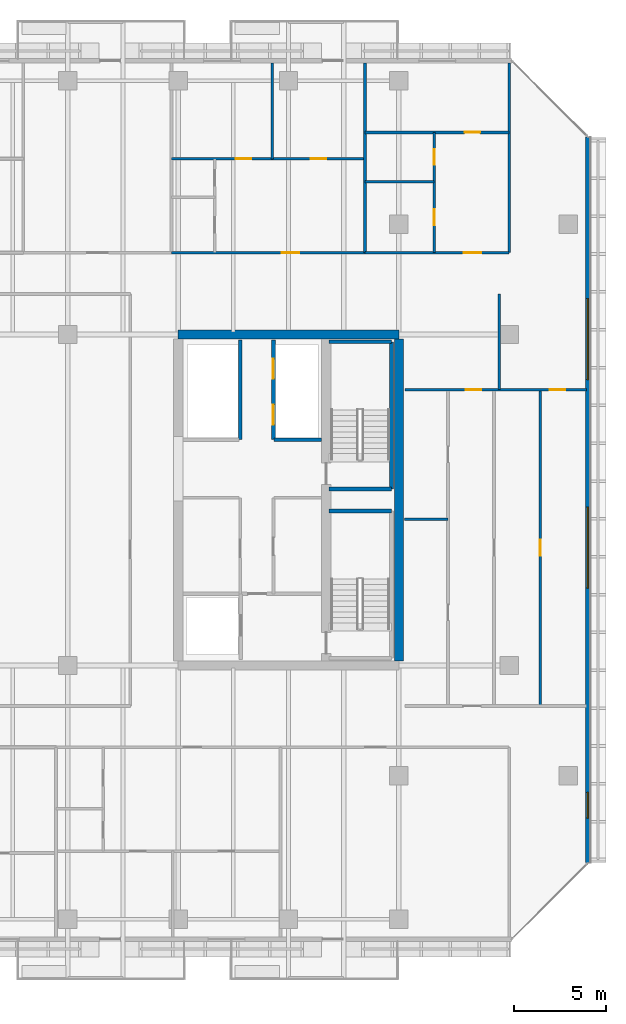
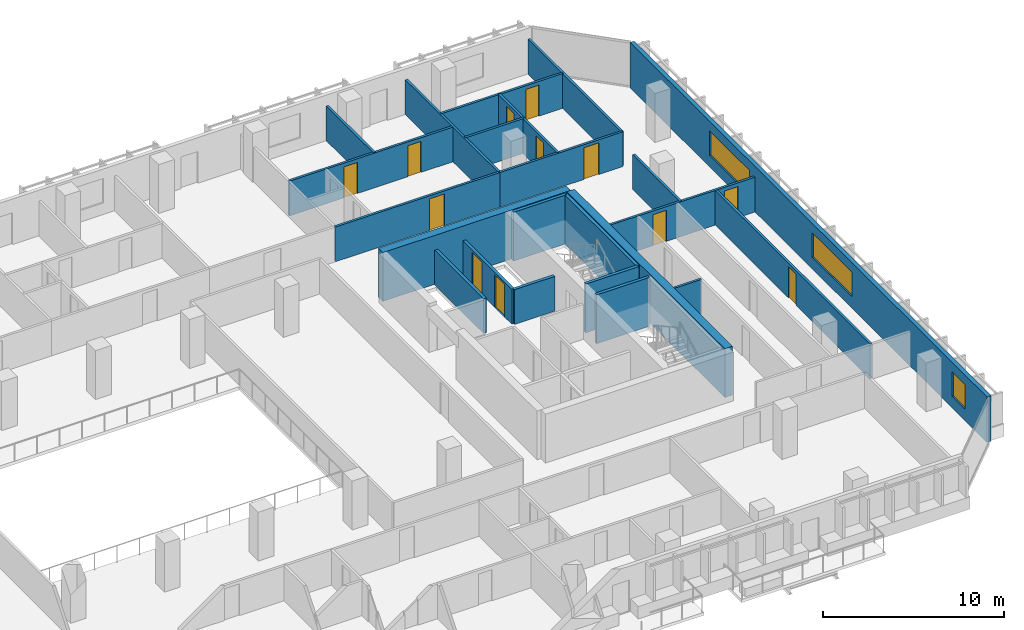
# One storey, part 28 of 35: 23 walls, 12 doors, 3 windows, 15 openings.
"""IFC4 building model written with IfcOpenShell, lengths in metres."""

from ifc_helpers import new_model, si_unit, direction, frame, frame_2d, origin, place, context, subcontext, project, spatial, rectangle, extrude, material, layer, layer_set, type_object, element, fill, save


model = new_model("IFC4")

# Units and contexts
model_context = context("Model", 3, precision=1e-05, world=origin(), true_north=direction((0.0, 1.0)))
body_context = subcontext(model_context, "Body", "Model", "MODEL_VIEW")
ifc_project = project(units=[si_unit("LENGTHUNIT", "METRE"), si_unit("AREAUNIT", "SQUARE_METRE"), si_unit("VOLUMEUNIT", "CUBIC_METRE"), si_unit("PLANEANGLEUNIT", "RADIAN"), si_unit("MASSUNIT", "GRAM", prefix="KILO")], contexts=[model_context])

# Site, building, storey
site_placement = place(None, origin())
site = spatial("IfcSite", under=ifc_project, at=site_placement, CompositionType="ELEMENT")
building_placement = place(site_placement, origin())
building = spatial("IfcBuilding", under=site, at=building_placement, Name="Tanjung Sevakor Pilgrim Tower", CompositionType="ELEMENT")
storey_placement = place(building_placement, frame((0.0, 0.0, 92.070068359375)))
storey = spatial("IfcBuildingStorey", under=building, at=storey_placement, Name="L25", CompositionType="ELEMENT", Elevation=92.070068359375)

# Walls
ifc_material_1 = material(Name="Concrete C60/75", Category="concrete")
ifc_layer_1 = layer(ifc_material_1, 0.5)
ifc_layer_set_1 = layer_set([ifc_layer_1], Name="WALL-CW-500")
wall_type_1 = type_object("IfcWallType", Name="WALL-CW-500", PredefinedType="SHEAR", material=ifc_layer_set_1)
wall_1_placement = place(storey_placement, frame((90.0, 42.60009765625, 0.0), z_axis=(0.0, 0.0, 1.0), x_axis=(-1.0, 0.0, 0.0)))
element("IfcWall", 1, at=wall_1_placement, inside=storey, type_object=wall_type_1, Name="L25 E Core North Shear Wall", PredefinedType="SHEAR", context=body_context, shape_type="SweptSolid", body=[
    extrude(rectangle(XDim=12.0, YDim=0.5, at=frame_2d((6.0, 0.0))), origin(), (0.0, 0.0, 1.0), 3.300048828125),
])
wall_2_placement = place(storey_placement, frame((90.0, 24.85009765625, 0.0), z_axis=(0.0, 0.0, 1.0), x_axis=(0.0, 1.0, 0.0)))
element("IfcWall", 2, at=wall_2_placement, inside=storey, type_object=wall_type_1, Name="L25 E Core Outer Shear Wall", PredefinedType="SHEAR", context=body_context, shape_type="SweptSolid", body=[
    extrude(rectangle(XDim=17.5, YDim=0.5, at=frame_2d((8.75, 0.0))), origin(), (0.0, 0.0, 1.0), 3.300048828125),
])
ifc_material_2 = material(Name="Concrete C40/50", Category="concrete")
ifc_layer_2 = layer(ifc_material_2, 0.14990234375)
ifc_layer_set_2 = layer_set([ifc_layer_2], Name="WT-COMP-150")
wall_type_2 = type_object("IfcWallType", Name="WT-COMP-150", PredefinedType="SOLIDWALL", material=ifc_layer_set_2)
for number, where, z_axis, x_axis, name in (
    (3, (96.0, 47.050048828125, 0.0), (0.0, 0.0, 1.0), (0.0, 1.0, 0.0), "L25 Partition IW-L25-083"),
    (4, (88.164306640625, 47.050048828125, 0.0), (0.0, 0.0, 1.0), (0.0, 1.0, 0.0), "L25 Partition IW-L25-094"),
):
    element("IfcWall", number, at=place(storey_placement, frame(where, z_axis=z_axis, x_axis=x_axis)), inside=storey, type_object=wall_type_2, Name=name, PredefinedType="SOLIDWALL", context=body_context, shape_type="SweptSolid", body=[
        extrude(rectangle(XDim=10.300048828125, YDim=0.14990234375, at=frame_2d((5.14990234375, 0.0))), origin(), (0.0, 0.0, 1.0), 2.35009765625),
    ])

# Wall, opening, door
wall_3_placement = place(storey_placement, frame((77.64208984375, 47.050048828125, 0.0), z_axis=(0.0, 0.0, 1.0), x_axis=(1.0, 0.0, 0.0)))
wall_3 = element("IfcWall", 5, at=wall_3_placement, inside=storey, type_object=wall_type_2, Name="L25 Partition IW-L25-099", PredefinedType="SOLIDWALL", context=body_context, shape_type="SweptSolid", body=[
    extrude(rectangle(XDim=10.522216796875, YDim=0.14990234375, at=frame_2d((5.26123046875, 0.0))), origin(), (0.0, 0.0, 1.0), 2.35009765625),
])
opening_1_placement = place(wall_3_placement, frame((6.001220703125, 0.0, 0.0)))
opening_1 = element("IfcOpeningElement", 6, at=opening_1_placement, cuts=wall_3, Name="Opening ID-FD2", PredefinedType="OPENING", context=body_context, shape_type="SweptSolid", body=[
    extrude(rectangle(XDim=0.949951171875, YDim=2.14990234375, at=frame_2d((0.47509765625, 1.074951171875))), frame((0.0, 0.0849609375, 0.0), z_axis=(0.0, -1.0, 0.0), x_axis=(1.0, 0.0, 0.0)), (0.0, 0.0, 1.0), 0.169921875),
])
ifc_material_3 = material(Name="Fire-Rated Timber", Category="wood")
door_type_1 = type_object("IfcDoorType", Name="DT-FIRE-950", OperationType="NOTDEFINED", PredefinedType="DOOR", material=ifc_material_3)
door_1_placement = place(opening_1_placement, origin())
door_1 = element("IfcDoor", 7, at=door_1_placement, inside=storey, type_object=door_type_1, Name="Suite Entrance", OperationType="SINGLE_SWING_LEFT", OverallHeight=2.14990234375, OverallWidth=0.949951171875, PredefinedType="DOOR", context=body_context, shape_type="SweptSolid", body=[
    extrude(rectangle(XDim=0.949951171875, YDim=2.14990234375, at=frame_2d((0.47509765625, 1.074951171875))), frame((0.0, 0.02490234375, 0.0), z_axis=(0.0, -1.0, 0.0), x_axis=(1.0, 0.0, 0.0)), (0.0, 0.0, 1.0), 0.050048828125),
])
fill(opening_1, door_1)

wall_4_placement = place(storey_placement, frame((88.164306640625, 47.050048828125, 0.0), z_axis=(0.0, 0.0, 1.0), x_axis=(1.0, 0.0, 0.0)))
wall_4 = element("IfcWall", 8, at=wall_4_placement, inside=storey, type_object=wall_type_2, Name="L25 Partition IW-L25-103", PredefinedType="SOLIDWALL", context=body_context, shape_type="SweptSolid", body=[
    extrude(rectangle(XDim=7.835693359375, YDim=0.14990234375, at=frame_2d((3.91796875, 0.0))), origin(), (0.0, 0.0, 1.0), 2.35009765625),
])
opening_2_placement = place(wall_4_placement, frame((5.360595703125, 0.0, 0.0)))
opening_2 = element("IfcOpeningElement", 9, at=opening_2_placement, cuts=wall_4, Name="Opening ID-FD2", PredefinedType="OPENING", context=body_context, shape_type="SweptSolid", body=[
    extrude(rectangle(XDim=0.949951171875, YDim=2.14990234375, at=frame_2d((0.47509765625, 1.074951171875))), frame((0.0, 0.0849609375, 0.0), z_axis=(0.0, -1.0, 0.0), x_axis=(1.0, 0.0, 0.0)), (0.0, 0.0, 1.0), 0.169921875),
])
door_2_placement = place(opening_2_placement, origin())
door_2 = element("IfcDoor", 10, at=door_2_placement, inside=storey, type_object=door_type_1, Name="Residence Entrance", OperationType="SINGLE_SWING_LEFT", OverallHeight=2.14990234375, OverallWidth=0.949951171875, PredefinedType="DOOR", context=body_context, shape_type="SweptSolid", body=[
    extrude(rectangle(XDim=0.949951171875, YDim=2.14990234375, at=frame_2d((0.47509765625, 1.074951171875))), frame((0.0, 0.02490234375, 0.0), z_axis=(0.0, -1.0, 0.0), x_axis=(1.0, 0.0, 0.0)), (0.0, 0.0, 1.0), 0.050048828125),
])
fill(opening_2, door_2)

# Wall, openings, windows
ifc_material_4 = material(Name="Precast concrete C45/55", Category="concrete")
ifc_layer_3 = layer(ifc_material_4, 0.25)
ifc_layer_set_3 = layer_set([ifc_layer_3], Name="WT-EW-STN3")
wall_type_3 = type_object("IfcWallType", Name="WT-EW-STN3", PredefinedType="SOLIDWALL", material=ifc_layer_set_3)
wall_5_placement = place(storey_placement, frame((100.27490234375, 13.851806640625, 0.0), z_axis=(0.0, 0.0, 1.0), x_axis=(0.0, 1.0, 0.0)))
wall_5 = element("IfcWall", 11, at=wall_5_placement, inside=storey, type_object=wall_type_3, Name="L25 MAIN Exterior Wall 7", PredefinedType="SOLIDWALL", context=body_context, shape_type="SweptSolid", body=[
    extrude(rectangle(XDim=39.496337890625, YDim=0.25, at=frame_2d((19.748046875, 0.0))), origin(), (0.0, 0.0, 1.0), 3.080078125),
])
opening_3_placement = place(wall_5_placement, frame((14.958251953125, 0.0, 0.780029296875)))
opening_3 = element("IfcOpeningElement", 12, at=opening_3_placement, cuts=wall_5, Name="Opening WN-ENDW-1660", PredefinedType="OPENING", context=body_context, shape_type="SweptSolid", body=[
    extrude(rectangle(XDim=4.39990234375, YDim=1.659912109375, at=frame_2d((2.199951171875, 0.830078125))), frame((0.0, 0.135009765625, 0.0), z_axis=(0.0, -1.0, 0.0), x_axis=(1.0, 0.0, 0.0)), (0.0, 0.0, 1.0), 0.27001953125),
])
opening_4_placement = place(wall_5_placement, frame((26.298095703125, 0.0, 0.780029296875)))
opening_4 = element("IfcOpeningElement", 13, at=opening_4_placement, cuts=wall_5, Name="Opening WN-ENDW-1660", PredefinedType="OPENING", context=body_context, shape_type="SweptSolid", body=[
    extrude(rectangle(XDim=4.39990234375, YDim=1.659912109375, at=frame_2d((2.199951171875, 0.830078125))), frame((0.0, 0.135009765625, 0.0), z_axis=(0.0, -1.0, 0.0), x_axis=(1.0, 0.0, 0.0)), (0.0, 0.0, 1.0), 0.27001953125),
])
opening_5_placement = place(wall_5_placement, frame((2.4541015625, 0.0, 0.780029296875)))
opening_5 = element("IfcOpeningElement", 14, at=opening_5_placement, cuts=wall_5, Name="Opening WN-END", PredefinedType="OPENING", context=body_context, shape_type="SweptSolid", body=[
    extrude(rectangle(XDim=1.39990234375, YDim=1.64990234375, at=frame_2d((0.699951171875, 0.824951171875))), frame((0.0, 0.135009765625, 0.0), z_axis=(0.0, -1.0, 0.0), x_axis=(1.0, 0.0, 0.0)), (0.0, 0.0, 1.0), 0.27001953125),
])
ifc_material_5 = material(Name="Thermally Broken Aluminium and Low-E Glass", Category="aluminium")
window_type_1 = type_object("IfcWindowType", Name="WTYP-WN-END", PartitioningType="SINGLE_PANEL", PredefinedType="WINDOW", material=ifc_material_5)
window_1_placement = place(opening_5_placement, origin())
window_1 = element("IfcWindow", 15, at=window_1_placement, inside=storey, type_object=window_type_1, Name="L25 Facade Window 03", OverallHeight=1.64990234375, OverallWidth=1.39990234375, PartitioningType="SINGLE_PANEL", PredefinedType="WINDOW", context=body_context, shape_type="SweptSolid", body=[
    extrude(rectangle(XDim=1.39990234375, YDim=1.64990234375, at=frame_2d((0.699951171875, 0.824951171875))), frame((0.0, 0.030029296875, 0.0), z_axis=(0.0, -1.0, 0.0), x_axis=(1.0, 0.0, 0.0)), (0.0, 0.0, 1.0), 0.06005859375),
])
fill(opening_5, window_1)
ifc_material_6 = material(Name="Thermally Broken Aluminium and Low-E Glass", Category="aluminium")
window_type_2 = type_object("IfcWindowType", Name="WTYP-WN-ENDW-1660", PartitioningType="DOUBLE_PANEL_VERTICAL", PredefinedType="WINDOW", material=ifc_material_6)
window_2_placement = place(opening_3_placement, origin())
window_2 = element("IfcWindow", 16, at=window_2_placement, inside=storey, type_object=window_type_2, Name="L25 Facade Window 01", OverallHeight=1.659912109375, OverallWidth=4.39990234375, PartitioningType="SINGLE_PANEL", PredefinedType="WINDOW", context=body_context, shape_type="SweptSolid", body=[
    extrude(rectangle(XDim=4.39990234375, YDim=1.659912109375, at=frame_2d((2.199951171875, 0.830078125))), frame((0.0, 0.030029296875, 0.0), z_axis=(0.0, -1.0, 0.0), x_axis=(1.0, 0.0, 0.0)), (0.0, 0.0, 1.0), 0.06005859375),
])
fill(opening_3, window_2)
window_3_placement = place(opening_4_placement, origin())
window_3 = element("IfcWindow", 17, at=window_3_placement, inside=storey, type_object=window_type_2, Name="L25 Facade Window 02", OverallHeight=1.659912109375, OverallWidth=4.39990234375, PartitioningType="SINGLE_PANEL", PredefinedType="WINDOW", context=body_context, shape_type="SweptSolid", body=[
    extrude(rectangle(XDim=4.39990234375, YDim=1.659912109375, at=frame_2d((2.199951171875, 0.830078125))), frame((0.0, 0.030029296875, 0.0), z_axis=(0.0, -1.0, 0.0), x_axis=(1.0, 0.0, 0.0)), (0.0, 0.0, 1.0), 0.06005859375),
])
fill(opening_4, window_3)

# Walls
ifc_material_7 = material(Name="Concrete C40/50", Category="concrete")
ifc_layer_4 = layer(ifc_material_7, 0.199951171875)
ifc_layer_set_4 = layer_set([ifc_layer_4], Name="WT-FIRE-200")
wall_type_4 = type_object("IfcWallType", Name="WT-FIRE-200", PredefinedType="SOLIDWALL", material=ifc_layer_set_4)
for number, where, z_axis, x_axis, name in (
    (18, (89.60009765625, 33.0, 0.0), (0.0, 0.0, 1.0), (-1.0, 0.0, 0.0), "L25 TS-E1 Shaft Wall 3"),
    (19, (86.199951171875, 34.199951171875, 0.0), (0.0, 0.0, 1.0), (1.0, 0.0, 0.0), "L25 TS-E2 Shaft Wall 1"),
):
    element("IfcWall", number, at=place(storey_placement, frame(where, z_axis=z_axis, x_axis=x_axis)), inside=storey, type_object=wall_type_4, Name=name, PredefinedType="SOLIDWALL", context=body_context, shape_type="SweptSolid", body=[
        extrude(rectangle(XDim=3.400146484375, YDim=0.199951171875, at=frame_2d((1.7001953125, 0.0))), origin(), (0.0, 0.0, 1.0), 3.300048828125),
    ])
wall_6_placement = place(storey_placement, frame((89.60009765625, 34.199951171875, 0.0), z_axis=(0.0, 0.0, 1.0), x_axis=(0.0, 1.0, 0.0)))
element("IfcWall", 20, at=wall_6_placement, inside=storey, type_object=wall_type_4, Name="L25 TS-E2 Shaft Wall 2", PredefinedType="SOLIDWALL", context=body_context, shape_type="SweptSolid", body=[
    extrude(rectangle(XDim=8.0, YDim=0.199951171875, at=frame_2d((4.0, 0.0))), origin(), (0.0, 0.0, 1.0), 3.300048828125),
])
wall_7_placement = place(storey_placement, frame((89.60009765625, 42.199951171875, 0.0), z_axis=(0.0, 0.0, 1.0), x_axis=(-1.0, 0.0, 0.0)))
element("IfcWall", 21, at=wall_7_placement, inside=storey, type_object=wall_type_4, Name="L25 TS-E2 Shaft Wall 3", PredefinedType="SOLIDWALL", context=body_context, shape_type="SweptSolid", body=[
    extrude(rectangle(XDim=3.400146484375, YDim=0.199951171875, at=frame_2d((1.7001953125, 0.0))), origin(), (0.0, 0.0, 1.0), 3.300048828125),
])
ifc_material_8 = material(Name="Concrete C40/50", Category="concrete")
ifc_layer_5 = layer(ifc_material_8, 0.199951171875)
ifc_layer_set_5 = layer_set([ifc_layer_5], Name="WT-FPRT-200")
wall_type_5 = type_object("IfcWallType", Name="WT-FPRT-200", PredefinedType="SOLIDWALL", material=ifc_layer_set_5)
wall_8_placement = place(storey_placement, frame((83.199951171875, 36.8798828125, 0.0), z_axis=(0.0, 0.0, 1.0), x_axis=(1.0, 0.0, 0.0)))
element("IfcWall", 22, at=wall_8_placement, inside=storey, type_object=wall_type_5, Name="L25 Partition IW-L25-017", PredefinedType="SOLIDWALL", context=body_context, shape_type="SweptSolid", body=[
    extrude(rectangle(XDim=2.580078125, YDim=0.199951171875, at=frame_2d((1.2900390625, 0.0))), origin(), (0.0, 0.0, 1.0), 2.35009765625),
])

# Wall, openings, doors
wall_9_placement = place(storey_placement, frame((83.179931640625, 36.8798828125, 0.0), z_axis=(0.0, 0.0, 1.0), x_axis=(0.0, 1.0, 0.0)))
wall_9 = element("IfcWall", 23, at=wall_9_placement, inside=storey, type_object=wall_type_5, Name="L25 Partition IW-L25-018", PredefinedType="SOLIDWALL", context=body_context, shape_type="SweptSolid", body=[
    extrude(rectangle(XDim=5.420166015625, YDim=0.199951171875, at=frame_2d((2.7099609375, 0.0))), origin(), (0.0, 0.0, 1.0), 2.35009765625),
])
opening_6_placement = place(wall_9_placement, frame((0.800048828125, 0.0, 0.0)))
opening_6 = element("IfcOpeningElement", 24, at=opening_6_placement, cuts=wall_9, Name="Opening LD-1100", PredefinedType="OPENING", context=body_context, shape_type="SweptSolid", body=[
    extrude(rectangle(XDim=1.10009765625, YDim=2.199951171875, at=frame_2d((0.550048828125, 1.10009765625))), frame((0.0, 0.10986328125, 0.0), z_axis=(0.0, -1.0, 0.0), x_axis=(1.0, 0.0, 0.0)), (0.0, 0.0, 1.0), 0.219970703125),
])
opening_7_placement = place(wall_9_placement, frame((3.300048828125, 0.0, 0.0)))
opening_7 = element("IfcOpeningElement", 25, at=opening_7_placement, cuts=wall_9, Name="Opening LD-1100", PredefinedType="OPENING", context=body_context, shape_type="SweptSolid", body=[
    extrude(rectangle(XDim=1.10009765625, YDim=2.199951171875, at=frame_2d((0.550048828125, 1.10009765625))), frame((0.0, 0.10986328125, 0.0), z_axis=(0.0, -1.0, 0.0), x_axis=(1.0, 0.0, 0.0)), (0.0, 0.0, 1.0), 0.219970703125),
])
ifc_material_9 = material(Name="Brushed Stainless Steel S355J2", Category="steel")
door_type_2 = type_object("IfcDoorType", Name="DT-LIFT-1100", OperationType="SLIDING_TO_LEFT", PredefinedType="DOOR", material=ifc_material_9)
door_3_placement = place(opening_6_placement, origin())
door_3 = element("IfcDoor", 26, at=door_3_placement, inside=storey, type_object=door_type_2, Name="LD-PLM1-E", OperationType="SLIDING_TO_LEFT", OverallHeight=2.199951171875, OverallWidth=1.10009765625, PredefinedType="DOOR", context=body_context, shape_type="SweptSolid", body=[
    extrude(rectangle(XDim=1.10009765625, YDim=2.199951171875, at=frame_2d((0.550048828125, 1.10009765625))), frame((0.0, 0.02490234375, 0.0), z_axis=(0.0, -1.0, 0.0), x_axis=(1.0, 0.0, 0.0)), (0.0, 0.0, 1.0), 0.050048828125),
])
fill(opening_6, door_3)
door_4_placement = place(opening_7_placement, origin())
door_4 = element("IfcDoor", 27, at=door_4_placement, inside=storey, type_object=door_type_2, Name="LD-PLM2-E", OperationType="SLIDING_TO_RIGHT", OverallHeight=2.199951171875, OverallWidth=1.10009765625, PredefinedType="DOOR", context=body_context, shape_type="SweptSolid", body=[
    extrude(rectangle(XDim=1.10009765625, YDim=2.199951171875, at=frame_2d((0.550048828125, 1.10009765625))), frame((0.0, 0.02490234375, 0.0), z_axis=(0.0, -1.0, 0.0), x_axis=(1.0, 0.0, 0.0)), (0.0, 0.0, 1.0), 0.050048828125),
])
fill(opening_7, door_4)

# Wall
wall_10_placement = place(storey_placement, frame((81.3798828125, 36.8798828125, 0.0), z_axis=(0.0, 0.0, 1.0), x_axis=(0.0, 1.0, 0.0)))
element("IfcWall", 28, at=wall_10_placement, inside=storey, type_object=wall_type_5, Name="L25 Partition IW-L25-020", PredefinedType="SOLIDWALL", context=body_context, shape_type="SweptSolid", body=[
    extrude(rectangle(XDim=5.420166015625, YDim=0.199951171875, at=frame_2d((2.7099609375, 0.0))), origin(), (0.0, 0.0, 1.0), 2.35009765625),
])

# Wall, opening, door
ifc_material_10 = material(Name="Gypsum Board Partition", Category="gypsum board")
ifc_layer_6 = layer(ifc_material_10, 0.14990234375)
ifc_layer_set_6 = layer_set([ifc_layer_6], Name="WT-PART-150")
wall_type_6 = type_object("IfcWallType", Name="WT-PART-150", PredefinedType="PARTITIONING", material=ifc_layer_set_6)
wall_11_placement = place(storey_placement, frame((97.683349609375, 22.39990234375, 0.0), z_axis=(0.0, 0.0, 1.0), x_axis=(0.0, 1.0, 0.0)))
wall_11 = element("IfcWall", 29, at=wall_11_placement, inside=storey, type_object=wall_type_6, Name="L25 Partition IW-L25-031", PredefinedType="PARTITIONING", context=body_context, shape_type="SweptSolid", body=[
    extrude(rectangle(XDim=17.2001953125, YDim=0.14990234375, at=frame_2d((8.60009765625, 0.0))), origin(), (0.0, 0.0, 1.0), 2.35009765625),
])
opening_8_placement = place(wall_11_placement, frame((8.175048828125, 0.0, 0.0)))
opening_8 = element("IfcOpeningElement", 30, at=opening_8_placement, cuts=wall_11, Name="Opening ID-WC1", PredefinedType="OPENING", context=body_context, shape_type="SweptSolid", body=[
    extrude(rectangle(XDim=0.85009765625, YDim=2.10009765625, at=frame_2d((0.425048828125, 1.050048828125))), frame((0.0, 0.0849609375, 0.0), z_axis=(0.0, -1.0, 0.0), x_axis=(1.0, 0.0, 0.0)), (0.0, 0.0, 1.0), 0.169921875),
])
ifc_material_11 = material(Name="Moisture-Resistant Timber", Category="wood")
door_type_3 = type_object("IfcDoorType", Name="DT-INT-850", OperationType="NOTDEFINED", PredefinedType="DOOR", material=ifc_material_11)
door_5_placement = place(opening_8_placement, origin())
door_5 = element("IfcDoor", 31, at=door_5_placement, inside=storey, type_object=door_type_3, Name="Suite Reading Room Door", OperationType="SINGLE_SWING_LEFT", OverallHeight=2.10009765625, OverallWidth=0.85009765625, PredefinedType="DOOR", context=body_context, shape_type="SweptSolid", body=[
    extrude(rectangle(XDim=0.85009765625, YDim=2.10009765625, at=frame_2d((0.425048828125, 1.050048828125))), frame((0.0, 0.02490234375, 0.0), z_axis=(0.0, -1.0, 0.0), x_axis=(1.0, 0.0, 0.0)), (0.0, 0.0, 1.0), 0.050048828125),
])
fill(opening_8, door_5)

# Walls
wall_12_placement = place(storey_placement, frame((90.320068359375, 32.548095703125, 0.0), z_axis=(0.0, 0.0, 1.0), x_axis=(1.0, 0.0, 0.0)))
element("IfcWall", 32, at=wall_12_placement, inside=storey, type_object=wall_type_6, Name="L25 Partition IW-L25-032", PredefinedType="PARTITIONING", context=body_context, shape_type="SweptSolid", body=[
    extrude(rectangle(XDim=2.349853515625, YDim=0.14990234375, at=frame_2d((1.1748046875, 0.0))), origin(), (0.0, 0.0, 1.0), 2.35009765625),
])
wall_13_placement = place(storey_placement, frame((95.452392578125, 39.60009765625, 0.0), z_axis=(0.0, 0.0, 1.0), x_axis=(0.0, 1.0, 0.0)))
element("IfcWall", 33, at=wall_13_placement, inside=storey, type_object=wall_type_6, Name="L25 Partition IW-L25-034", PredefinedType="PARTITIONING", context=body_context, shape_type="SweptSolid", body=[
    extrude(rectangle(XDim=5.199951171875, YDim=0.14990234375, at=frame_2d((2.60009765625, 0.0))), origin(), (0.0, 0.0, 1.0), 2.35009765625),
])

# Wall, openings, doors
wall_14_placement = place(storey_placement, frame((90.320068359375, 39.60009765625, 0.0), z_axis=(0.0, 0.0, 1.0), x_axis=(1.0, 0.0, 0.0)))
wall_14 = element("IfcWall", 34, at=wall_14_placement, inside=storey, type_object=wall_type_6, Name="L25 Partition IW-L25-035", PredefinedType="PARTITIONING", context=body_context, shape_type="SweptSolid", body=[
    extrude(rectangle(XDim=9.869873046875, YDim=0.14990234375, at=frame_2d((4.93505859375, 0.0))), origin(), (0.0, 0.0, 1.0), 2.35009765625),
])
opening_9_placement = place(wall_14_placement, frame((3.316162109375, 0.0, 0.0)))
opening_9 = element("IfcOpeningElement", 35, at=opening_9_placement, cuts=wall_14, Name="Opening ID-WC1", PredefinedType="OPENING", context=body_context, shape_type="SweptSolid", body=[
    extrude(rectangle(XDim=0.85009765625, YDim=2.10009765625, at=frame_2d((0.425048828125, 1.050048828125))), frame((0.0, 0.0849609375, 0.0), z_axis=(0.0, -1.0, 0.0), x_axis=(1.0, 0.0, 0.0)), (0.0, 0.0, 1.0), 0.169921875),
])
opening_10_placement = place(wall_14_placement, frame((7.876220703125, 0.0, 0.0)))
opening_10 = element("IfcOpeningElement", 36, at=opening_10_placement, cuts=wall_14, Name="Opening ID-WC1", PredefinedType="OPENING", context=body_context, shape_type="SweptSolid", body=[
    extrude(rectangle(XDim=0.85009765625, YDim=2.10009765625, at=frame_2d((0.425048828125, 1.050048828125))), frame((0.0, 0.0849609375, 0.0), z_axis=(0.0, -1.0, 0.0), x_axis=(1.0, 0.0, 0.0)), (0.0, 0.0, 1.0), 0.169921875),
])
door_6_placement = place(opening_9_placement, origin())
door_6 = element("IfcDoor", 37, at=door_6_placement, inside=storey, type_object=door_type_3, Name="Suite Bedroom 1 Door", OperationType="SINGLE_SWING_RIGHT", OverallHeight=2.10009765625, OverallWidth=0.85009765625, PredefinedType="DOOR", context=body_context, shape_type="SweptSolid", body=[
    extrude(rectangle(XDim=0.85009765625, YDim=2.10009765625, at=frame_2d((0.425048828125, 1.050048828125))), frame((0.0, 0.02490234375, 0.0), z_axis=(0.0, -1.0, 0.0), x_axis=(1.0, 0.0, 0.0)), (0.0, 0.0, 1.0), 0.050048828125),
])
fill(opening_9, door_6)
door_7_placement = place(opening_10_placement, origin())
door_7 = element("IfcDoor", 38, at=door_7_placement, inside=storey, type_object=door_type_3, Name="Suite Bedroom 2 Door", OperationType="SINGLE_SWING_LEFT", OverallHeight=2.10009765625, OverallWidth=0.85009765625, PredefinedType="DOOR", context=body_context, shape_type="SweptSolid", body=[
    extrude(rectangle(XDim=0.85009765625, YDim=2.10009765625, at=frame_2d((0.425048828125, 1.050048828125))), frame((0.0, 0.02490234375, 0.0), z_axis=(0.0, -1.0, 0.0), x_axis=(1.0, 0.0, 0.0)), (0.0, 0.0, 1.0), 0.050048828125),
])
fill(opening_10, door_7)

# Wall
wall_15_placement = place(storey_placement, frame((83.113525390625, 52.14990234375, 0.0), z_axis=(0.0, 0.0, 1.0), x_axis=(0.0, 1.0, 0.0)))
element("IfcWall", 39, at=wall_15_placement, inside=storey, type_object=wall_type_6, Name="L25 Partition IW-L25-097", PredefinedType="PARTITIONING", context=body_context, shape_type="SweptSolid", body=[
    extrude(rectangle(XDim=5.2001953125, YDim=0.14990234375, at=frame_2d((2.60009765625, 0.0))), origin(), (0.0, 0.0, 1.0), 2.35009765625),
])

# Wall, openings, doors
wall_16_placement = place(storey_placement, frame((77.64208984375, 52.14990234375, 0.0), z_axis=(0.0, 0.0, 1.0), x_axis=(1.0, 0.0, 0.0)))
wall_16 = element("IfcWall", 40, at=wall_16_placement, inside=storey, type_object=wall_type_6, Name="L25 Partition IW-L25-098", PredefinedType="PARTITIONING", context=body_context, shape_type="SweptSolid", body=[
    extrude(rectangle(XDim=10.522216796875, YDim=0.14990234375, at=frame_2d((5.26123046875, 0.0))), origin(), (0.0, 0.0, 1.0), 2.35009765625),
])
opening_11_placement = place(wall_16_placement, frame((3.48583984375, 0.0, 0.0)))
opening_11 = element("IfcOpeningElement", 41, at=opening_11_placement, cuts=wall_16, Name="Opening ID-WC1", PredefinedType="OPENING", context=body_context, shape_type="SweptSolid", body=[
    extrude(rectangle(XDim=0.85009765625, YDim=2.10009765625, at=frame_2d((0.425048828125, 1.050048828125))), frame((0.0, 0.0849609375, 0.0), z_axis=(0.0, -1.0, 0.0), x_axis=(1.0, 0.0, 0.0)), (0.0, 0.0, 1.0), 0.169921875),
])
opening_12_placement = place(wall_16_placement, frame((7.57177734375, 0.0, 0.0)))
opening_12 = element("IfcOpeningElement", 42, at=opening_12_placement, cuts=wall_16, Name="Opening ID-WC1", PredefinedType="OPENING", context=body_context, shape_type="SweptSolid", body=[
    extrude(rectangle(XDim=0.85009765625, YDim=2.10009765625, at=frame_2d((0.425048828125, 1.050048828125))), frame((0.0, 0.0849609375, 0.0), z_axis=(0.0, -1.0, 0.0), x_axis=(1.0, 0.0, 0.0)), (0.0, 0.0, 1.0), 0.169921875),
])
door_8_placement = place(opening_11_placement, origin())
door_8 = element("IfcDoor", 43, at=door_8_placement, inside=storey, type_object=door_type_3, Name="Suite Bedroom 1 Door", OperationType="SINGLE_SWING_LEFT", OverallHeight=2.10009765625, OverallWidth=0.85009765625, PredefinedType="DOOR", context=body_context, shape_type="SweptSolid", body=[
    extrude(rectangle(XDim=0.85009765625, YDim=2.10009765625, at=frame_2d((0.425048828125, 1.050048828125))), frame((0.0, 0.02490234375, 0.0), z_axis=(0.0, -1.0, 0.0), x_axis=(1.0, 0.0, 0.0)), (0.0, 0.0, 1.0), 0.050048828125),
])
fill(opening_11, door_8)
door_9_placement = place(opening_12_placement, origin())
door_9 = element("IfcDoor", 44, at=door_9_placement, inside=storey, type_object=door_type_3, Name="Suite Bedroom 2 Door", OperationType="SINGLE_SWING_RIGHT", OverallHeight=2.10009765625, OverallWidth=0.85009765625, PredefinedType="DOOR", context=body_context, shape_type="SweptSolid", body=[
    extrude(rectangle(XDim=0.85009765625, YDim=2.10009765625, at=frame_2d((0.425048828125, 1.050048828125))), frame((0.0, 0.02490234375, 0.0), z_axis=(0.0, -1.0, 0.0), x_axis=(1.0, 0.0, 0.0)), (0.0, 0.0, 1.0), 0.050048828125),
])
fill(opening_12, door_9)

# Wall
wall_17_placement = place(storey_placement, frame((88.164306640625, 50.90576171875, 0.0), z_axis=(0.0, 0.0, 1.0), x_axis=(1.0, 0.0, 0.0)))
element("IfcWall", 45, at=wall_17_placement, inside=storey, type_object=wall_type_6, Name="L25 Partition IW-L25-100", PredefinedType="PARTITIONING", context=body_context, shape_type="SweptSolid", body=[
    extrude(rectangle(XDim=3.755615234375, YDim=0.14990234375, at=frame_2d((1.8779296875, 0.0))), origin(), (0.0, 0.0, 1.0), 2.35009765625),
])

# Wall, openings, doors
wall_18_placement = place(storey_placement, frame((91.919921875, 47.050048828125, 0.0), z_axis=(0.0, 0.0, 1.0), x_axis=(0.0, 1.0, 0.0)))
wall_18 = element("IfcWall", 46, at=wall_18_placement, inside=storey, type_object=wall_type_6, Name="L25 Partition IW-L25-101", PredefinedType="PARTITIONING", context=body_context, shape_type="SweptSolid", body=[
    extrude(rectangle(XDim=6.53515625, YDim=0.14990234375, at=frame_2d((3.267578125, 0.0))), origin(), (0.0, 0.0, 1.0), 2.35009765625),
])
opening_13_placement = place(wall_18_placement, frame((1.5029296875, 0.0, 0.0)))
opening_13 = element("IfcOpeningElement", 47, at=opening_13_placement, cuts=wall_18, Name="Opening ID-WC1", PredefinedType="OPENING", context=body_context, shape_type="SweptSolid", body=[
    extrude(rectangle(XDim=0.85009765625, YDim=2.10009765625, at=frame_2d((0.425048828125, 1.050048828125))), frame((0.0, 0.0849609375, 0.0), z_axis=(0.0, -1.0, 0.0), x_axis=(1.0, 0.0, 0.0)), (0.0, 0.0, 1.0), 0.169921875),
])
opening_14_placement = place(wall_18_placement, frame((4.7705078125, 0.0, 0.0)))
opening_14 = element("IfcOpeningElement", 48, at=opening_14_placement, cuts=wall_18, Name="Opening ID-WC1", PredefinedType="OPENING", context=body_context, shape_type="SweptSolid", body=[
    extrude(rectangle(XDim=0.85009765625, YDim=2.10009765625, at=frame_2d((0.425048828125, 1.050048828125))), frame((0.0, 0.0849609375, 0.0), z_axis=(0.0, -1.0, 0.0), x_axis=(1.0, 0.0, 0.0)), (0.0, 0.0, 1.0), 0.169921875),
])
door_10_placement = place(opening_13_placement, origin())
door_10 = element("IfcDoor", 49, at=door_10_placement, inside=storey, type_object=door_type_3, Name="Residence Kitchenette Door", OperationType="SINGLE_SWING_RIGHT", OverallHeight=2.10009765625, OverallWidth=0.85009765625, PredefinedType="DOOR", context=body_context, shape_type="SweptSolid", body=[
    extrude(rectangle(XDim=0.85009765625, YDim=2.10009765625, at=frame_2d((0.425048828125, 1.050048828125))), frame((0.0, 0.02490234375, 0.0), z_axis=(0.0, -1.0, 0.0), x_axis=(1.0, 0.0, 0.0)), (0.0, 0.0, 1.0), 0.050048828125),
])
fill(opening_13, door_10)
door_11_placement = place(opening_14_placement, origin())
door_11 = element("IfcDoor", 50, at=door_11_placement, inside=storey, type_object=door_type_3, Name="Residence Bathroom Door", OperationType="SINGLE_SWING_LEFT", OverallHeight=2.10009765625, OverallWidth=0.85009765625, PredefinedType="DOOR", context=body_context, shape_type="SweptSolid", body=[
    extrude(rectangle(XDim=0.85009765625, YDim=2.10009765625, at=frame_2d((0.425048828125, 1.050048828125))), frame((0.0, 0.02490234375, 0.0), z_axis=(0.0, -1.0, 0.0), x_axis=(1.0, 0.0, 0.0)), (0.0, 0.0, 1.0), 0.050048828125),
])
fill(opening_14, door_11)

# Wall, opening, door
wall_19_placement = place(storey_placement, frame((88.164306640625, 53.585205078125, 0.0), z_axis=(0.0, 0.0, 1.0), x_axis=(1.0, 0.0, 0.0)))
wall_19 = element("IfcWall", 51, at=wall_19_placement, inside=storey, type_object=wall_type_6, Name="L25 Partition IW-L25-102", PredefinedType="PARTITIONING", context=body_context, shape_type="SweptSolid", body=[
    extrude(rectangle(XDim=7.835693359375, YDim=0.14990234375, at=frame_2d((3.91796875, 0.0))), origin(), (0.0, 0.0, 1.0), 2.35009765625),
])
opening_15_placement = place(wall_19_placement, frame((5.41064453125, 0.0, 0.0)))
opening_15 = element("IfcOpeningElement", 52, at=opening_15_placement, cuts=wall_19, Name="Opening ID-WC1", PredefinedType="OPENING", context=body_context, shape_type="SweptSolid", body=[
    extrude(rectangle(XDim=0.85009765625, YDim=2.10009765625, at=frame_2d((0.425048828125, 1.050048828125))), frame((0.0, 0.0849609375, 0.0), z_axis=(0.0, -1.0, 0.0), x_axis=(1.0, 0.0, 0.0)), (0.0, 0.0, 1.0), 0.169921875),
])
door_12_placement = place(opening_15_placement, origin())
door_12 = element("IfcDoor", 53, at=door_12_placement, inside=storey, type_object=door_type_3, Name="Residence Bedroom Door", OperationType="SINGLE_SWING_RIGHT", OverallHeight=2.10009765625, OverallWidth=0.85009765625, PredefinedType="DOOR", context=body_context, shape_type="SweptSolid", body=[
    extrude(rectangle(XDim=0.85009765625, YDim=2.10009765625, at=frame_2d((0.425048828125, 1.050048828125))), frame((0.0, 0.02490234375, 0.0), z_axis=(0.0, -1.0, 0.0), x_axis=(1.0, 0.0, 0.0)), (0.0, 0.0, 1.0), 0.050048828125),
])
fill(opening_15, door_12)

save(model, "model.ifc")
